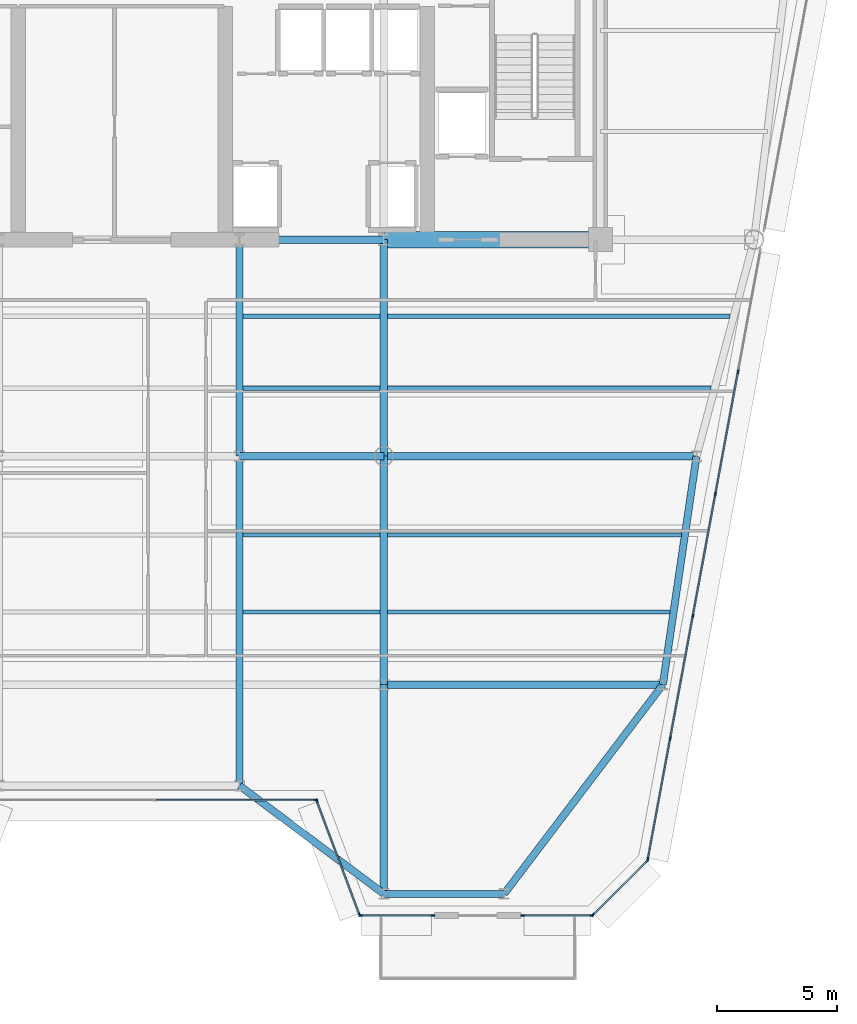
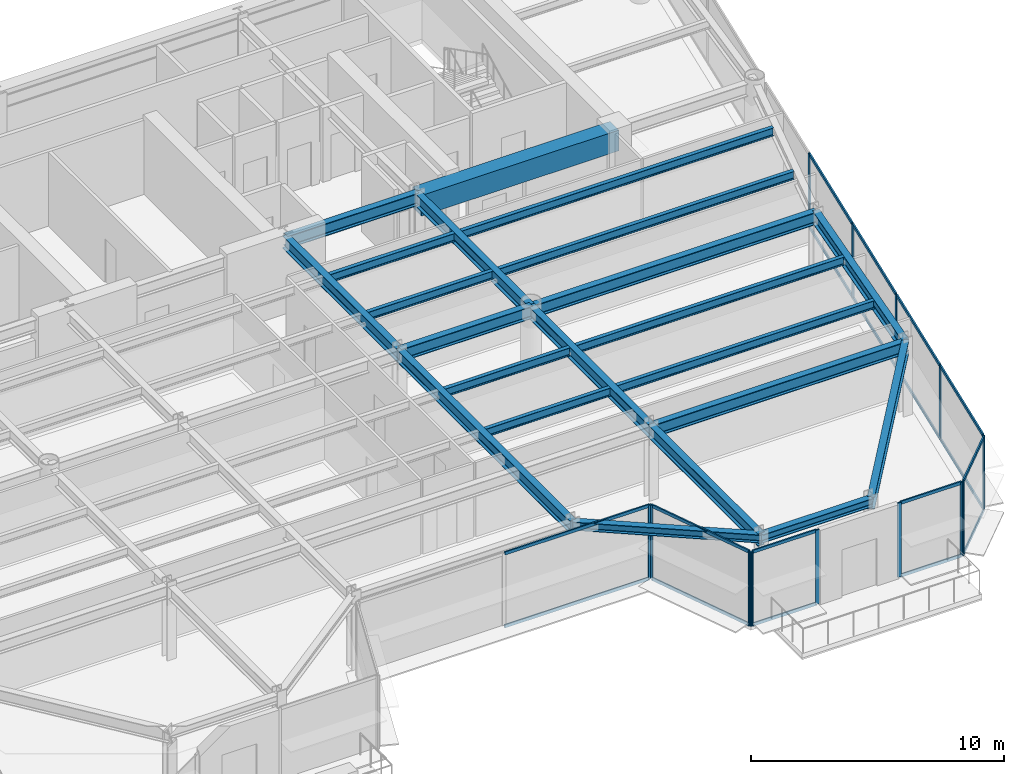
# One storey, part 5 of 16: 32 members, 22 beams, 6 elements without a shape of their own.
"""IFC4 building model written with IfcOpenShell, lengths in metres."""

import ifcopenshell
import ifcopenshell.guid

model = None  # the IFC model being written
_history = None  # IfcOwnerHistory: only IFC2X3 demands one
_inside = {}  # id of a spatial element -> (the spatial element, [elements in it])
_under = {}  # id of a project, library or spatial element -> (it, [spatial elements below it])
_declared = {}  # id of a project -> (the project, [libraries it declares])
_typed = {}  # id of a type object -> (the type object, [elements of that type])
_made_of = {}  # id of a material, layer set ... -> (it, [elements and type objects made of it])


def new_model(schema):
    """Start an empty IFC model of exactly this schema.

    Asked for "IFC4X3", IfcOpenShell would pick the latest addendum, in which some entities
    have other attributes; the version numbers below select the first issue.
    IFC2X3 requires an IfcOwnerHistory on every rooted entity: one is made here for all.
    """
    global model, _history
    if schema == "IFC4X3":
        model = ifcopenshell.file(schema_version=(4, 3, 0, 0))
    else:
        model = ifcopenshell.file(schema=schema)
    _inside.clear()
    _under.clear()
    _declared.clear()
    _typed.clear()
    _made_of.clear()
    _history = None
    if model.schema == "IFC2X3":
        org = make("IfcOrganization", Name="unknown")
        user = make(
            "IfcPersonAndOrganization",
            ThePerson=make("IfcPerson", FamilyName="unknown"),
            TheOrganization=org,
        )
        app = make(
            "IfcApplication",
            ApplicationDeveloper=org,
            Version="unknown",
            ApplicationFullName="unknown",
            ApplicationIdentifier="unknown",
        )
        _history = make(
            "IfcOwnerHistory",
            OwningUser=user,
            OwningApplication=app,
            ChangeAction="ADDED",
            CreationDate=0,
        )
    return model


def make(cls, **values):
    """One entity of the class cls with the attributes given. An attribute that is None is left unset."""
    return model.create_entity(
        cls, **{name: value for name, value in values.items() if value is not None}
    )


def rooted(cls, **values):
    """An entity with a GlobalId (a new one), such as an element, a storey or a relation."""
    return make(cls, GlobalId=ifcopenshell.guid.new(), OwnerHistory=_history, **values)


def si_unit(unit_type, name, prefix=None):
    """IfcSIUnit, for example si_unit("LENGTHUNIT", "METRE", prefix="MILLI")."""
    return make("IfcSIUnit", UnitType=unit_type, Prefix=prefix, Name=name)


def assignment(units):
    """IfcUnitAssignment: the units of a project."""
    return None if units is None else make("IfcUnitAssignment", Units=units)


def point(xyz):
    """IfcCartesianPoint."""
    return None if xyz is None else make("IfcCartesianPoint", Coordinates=xyz)


def direction(xyz):
    """IfcDirection."""
    return None if xyz is None else make("IfcDirection", DirectionRatios=xyz)


def frame(location, z_axis=None, x_axis=None):
    """IfcAxis2Placement3D, a coordinate frame: its origin and axes. An axis left out is left unset."""
    return make(
        "IfcAxis2Placement3D",
        Location=point(location),
        Axis=direction(z_axis),
        RefDirection=direction(x_axis),
    )


def frame_2d(location, x_axis=None):
    """IfcAxis2Placement2D, a coordinate frame in the plane: its origin and x axis."""
    return make(
        "IfcAxis2Placement2D", Location=point(location), RefDirection=direction(x_axis)
    )


def origin():
    """The frame at (0, 0, 0) with its axes left unset."""
    return frame((0.0, 0.0, 0.0))


def origin_2d():
    """The frame at (0, 0) in the plane with its x axis left unset."""
    return frame_2d((0.0, 0.0))


def place(relative_to, where):
    """IfcLocalPlacement: puts the frame where relative to a parent placement (None: the world)."""
    return make(
        "IfcLocalPlacement", PlacementRelTo=relative_to, RelativePlacement=where
    )


def context(
    kind, dimensions, precision=None, world=None, true_north=None, identifier=None
):
    """IfcGeometricRepresentationContext, for example the 3D "Model" context."""
    return make(
        "IfcGeometricRepresentationContext",
        ContextIdentifier=identifier,
        ContextType=kind,
        CoordinateSpaceDimension=dimensions,
        Precision=precision,
        WorldCoordinateSystem=world,
        TrueNorth=true_north,
    )


def subcontext(parent, identifier, kind, view, scale=None):
    """IfcGeometricRepresentationSubContext, for example "Body" below "Model"."""
    return make(
        "IfcGeometricRepresentationSubContext",
        ContextIdentifier=identifier,
        ContextType=kind,
        ParentContext=parent,
        TargetScale=scale,
        TargetView=view,
    )


def project(units=None, contexts=None):
    """IfcProject with its units and contexts."""
    return rooted(
        "IfcProject",
        Name="project",
        RepresentationContexts=contexts,
        UnitsInContext=assignment(units),
    )


def spatial(cls, under=None, at=None, **own):
    """A site, building, storey or space (cls), placed at a placement, below another one or the project."""
    s = rooted(cls, ObjectPlacement=at, **own)
    if under is not None:
        _under.setdefault(under.id(), (under, []))[1].append(s)
    return s


def profile(cls, at=None, kind="AREA", **sizes):
    """A parametric profile (cls). Its sizes go by their IFC names, for example OverallWidth=200.0."""
    return make(cls, ProfileType=kind, Position=at, **sizes)


def rectangle(**sizes):
    """IfcRectangleProfileDef."""
    return profile("IfcRectangleProfileDef", **sizes)


def i_section(**sizes):
    """IfcIShapeProfileDef."""
    return profile("IfcIShapeProfileDef", **sizes)


def extrude(swept, where, along, depth):
    """IfcExtrudedAreaSolid: the profile swept, set in the frame where, extruded along a direction by depth."""
    return make(
        "IfcExtrudedAreaSolid",
        SweptArea=swept,
        Position=where,
        ExtrudedDirection=direction(along),
        Depth=depth,
    )


def shape(context_of_items, identifier, shape_type, items):
    """IfcShapeRepresentation: the items that make up one representation, for example the "Body"."""
    return make(
        "IfcShapeRepresentation",
        ContextOfItems=context_of_items,
        RepresentationIdentifier=identifier,
        RepresentationType=shape_type,
        Items=items,
    )


def source(mapping_origin, context_of_items, identifier, shape_type, items):
    """IfcRepresentationMap: a shape defined once, which mapped items show again and again."""
    return make(
        "IfcRepresentationMap",
        MappingOrigin=mapping_origin,
        MappedRepresentation=shape(context_of_items, identifier, shape_type, items),
    )


def transform(
    local_origin,
    x_axis=None,
    y_axis=None,
    z_axis=None,
    scale=None,
    scale2=None,
    scale3=None,
    uniform=True,
):
    """IfcCartesianTransformationOperator3D, or its non-uniform kind. x_axis, y_axis, z_axis: its Axis1, 2, 3."""
    if uniform:
        return make(
            "IfcCartesianTransformationOperator3D",
            Axis1=direction(x_axis),
            Axis2=direction(y_axis),
            LocalOrigin=point(local_origin),
            Scale=scale,
            Axis3=direction(z_axis),
        )
    return make(
        "IfcCartesianTransformationOperator3DnonUniform",
        Axis1=direction(x_axis),
        Axis2=direction(y_axis),
        LocalOrigin=point(local_origin),
        Scale=scale,
        Axis3=direction(z_axis),
        Scale2=scale2,
        Scale3=scale3,
    )


def mapped(mapping_source, mapping_target):
    """IfcMappedItem: shows the shape of a source again, moved by a transform."""
    return make(
        "IfcMappedItem", MappingSource=mapping_source, MappingTarget=mapping_target
    )


def material(Name=None, Category=None):
    """IfcMaterial."""
    return make("IfcMaterial", Name=Name, Category=Category)


def layer(
    of_material, thickness, ventilated=None, Name=None, Category=None, Priority=None
):
    """IfcMaterialLayer: one layer of a wall or slab, of a material (None: an air gap)."""
    return make(
        "IfcMaterialLayer",
        Material=of_material,
        LayerThickness=thickness,
        IsVentilated=ventilated,
        Name=Name,
        Category=Category,
        Priority=Priority,
    )


def layer_set(layers, Name=None):
    """IfcMaterialLayerSet."""
    return make("IfcMaterialLayerSet", MaterialLayers=layers, LayerSetName=Name)


def material_profile(
    of_material, cross_section, Name=None, Category=None, Priority=None
):
    """IfcMaterialProfile: a cross section and its material."""
    return make(
        "IfcMaterialProfile",
        Name=Name,
        Material=of_material,
        Profile=cross_section,
        Priority=Priority,
        Category=Category,
    )


def profile_set(profiles, Name=None, composite=None):
    """IfcMaterialProfileSet."""
    return make(
        "IfcMaterialProfileSet",
        Name=Name,
        MaterialProfiles=profiles,
        CompositeProfile=composite,
    )


def made_of(thing, what):
    """Note that an element or type object is made of a material, layer set ...; save() writes the relation."""
    if what is not None:
        _made_of.setdefault(what.id(), (what, []))[1].append(thing)
    return thing


def type_object(cls, material=None, **own):
    """A type object (cls), such as IfcWallType, which elements share."""
    return made_of(rooted(cls, **own), material)


def element(
    cls,
    number,
    at=None,
    inside=None,
    cuts=None,
    type_object=None,
    material=None,
    context=None,
    identifier="Body",
    shape_type=None,
    held_by="IfcProductDefinitionShape",
    body=None,
    shapes=None,
    **own,
):
    """One element of the class cls, such as IfcWall. Its Tag is "e" and its number.

    at: its placement. inside: the storey or other place that contains it. cuts: it is an
    opening in that element (IfcRelVoidsElement). A single representation is given by context,
    identifier, shape_type and body (its items); several are given by shapes. held_by: the class
    of the entity that holds the representations. save() writes the other relations.
    """
    e = rooted(cls, Tag="e%d" % number, ObjectPlacement=at, **own)
    if body is not None:
        shapes = [shape(context, identifier, shape_type, body)]
    if shapes is not None:
        e.Representation = make(held_by, Representations=shapes)
    if inside is not None:
        _inside.setdefault(inside.id(), (inside, []))[1].append(e)
    if cuts is not None:
        rooted(
            "IfcRelVoidsElement", RelatingBuildingElement=cuts, RelatedOpeningElement=e
        )
    if type_object is not None:
        _typed.setdefault(type_object.id(), (type_object, []))[1].append(e)
    return made_of(e, material)


def aggregate(whole, parts):
    """IfcRelAggregates: a whole, such as a stair, and the parts it consists of."""
    return rooted("IfcRelAggregates", RelatingObject=whole, RelatedObjects=parts)


def save(model, path):
    """Write the relations noted so far, then the file.

    IfcRelAggregates (storeys below a building ...), IfcRelContainedInSpatialStructure (elements
    in a storey), IfcRelDefinesByType, IfcRelAssociatesMaterial and IfcRelDeclares: one each for
    every whole, place, type object, material and project.
    """
    for whole, parts in _under.values():
        aggregate(whole, parts)
    for where, things in _inside.values():
        rooted(
            "IfcRelContainedInSpatialStructure",
            RelatedElements=things,
            RelatingStructure=where,
        )
    for kind, things in _typed.values():
        rooted("IfcRelDefinesByType", RelatedObjects=things, RelatingType=kind)
    for what, things in _made_of.values():
        rooted("IfcRelAssociatesMaterial", RelatedObjects=things, RelatingMaterial=what)
    for by, libraries in _declared.values():
        rooted("IfcRelDeclares", RelatingContext=by, RelatedDefinitions=libraries)
    model.write(path)


model = new_model("IFC4")

# Units and contexts
model_context = context("Model", 3, precision=1e-05, world=origin(), true_north=direction((0.0, 1.0)))
body_context = subcontext(model_context, "Body", "Model", "MODEL_VIEW")
ifc_project = project(units=[si_unit("LENGTHUNIT", "METRE"), si_unit("AREAUNIT", "SQUARE_METRE"), si_unit("VOLUMEUNIT", "CUBIC_METRE"), si_unit("PLANEANGLEUNIT", "RADIAN"), si_unit("MASSUNIT", "GRAM", prefix="KILO")], contexts=[model_context])

# Site, building, storey
site_placement = place(None, origin())
site = spatial("IfcSite", under=ifc_project, at=site_placement, CompositionType="ELEMENT")
building_placement = place(site_placement, origin())
building = spatial("IfcBuilding", under=site, at=building_placement, Name="Vaeldorn Concourse Tower", CompositionType="ELEMENT")
storey_placement = place(building_placement, frame((0.0, 0.0, 207.0)))
storey = spatial("IfcBuildingStorey", under=building, at=storey_placement, Name="L53", CompositionType="ELEMENT", Elevation=207.0)

# Beams
ifc_material_1 = material(Name="Concrete C50/60", Category="concrete")
ifc_material_profile_1 = material_profile(ifc_material_1, rectangle(XDim=0.699951171875, YDim=1.0, at=origin_2d()), Name="RC 700x1000")
ifc_profile_set_1 = profile_set([ifc_material_profile_1], Name="Concrete C50/60")
beam_type_1 = type_object("IfcBeamType", Name="BM-CB-RC700", PredefinedType="BEAM", material=ifc_profile_set_1)
shared_shape_1 = source(origin(), body_context, "Body", "SweptSolid", [
    extrude(rectangle(XDim=0.699951171875, YDim=1.0, at=origin_2d()), origin(), (0.0, 0.0, 1.0), 9.0),
])
beam_1_placement = place(storey_placement, frame((45.0, 36.5, 3.080078125), z_axis=(1.0, 0.0, 0.0), x_axis=(0.0, 1.0, 0.0)))
element("IfcBeam", 1, at=beam_1_placement, inside=storey, type_object=beam_type_1, Name="Core Coupling Beam L53-2", PredefinedType="BEAM", context=body_context, shape_type="MappedRepresentation", body=[
    mapped(shared_shape_1, transform((0.0, 0.0, 0.0), scale=1.0)),
])
ifc_material_2 = material(Name="Steel S355", Category="steel")
ifc_material_profile_2 = material_profile(ifc_material_2, i_section(OverallWidth=0.300048828125, OverallDepth=0.60009765625, WebThickness=0.015380859375, FlangeThickness=0.030029296875, FilletRadius=0.027099609375, at=origin_2d()), Name="HEB 600")
ifc_profile_set_2 = profile_set([ifc_material_profile_2], Name="Steel S355")
beam_type_2 = type_object("IfcBeamType", Name="BM-PG-HEB600", PredefinedType="BEAM", material=ifc_profile_set_2)
shared_shape_2 = source(origin(), body_context, "Body", "SweptSolid", [
    extrude(i_section(OverallWidth=0.300048828125, OverallDepth=0.60009765625, WebThickness=0.015380859375, FlangeThickness=0.030029296875, FilletRadius=0.027099609375, at=origin_2d()), origin(), (0.0, 0.0, 1.0), 6.0),
])
for number, where, z_axis, x_axis, name in (
    (2, (39.0, 36.5, 3.280029296875), (1.0, 0.0, 0.0), (0.0, 1.0, 0.0), "Beam BM-L53-C-FC4-C-FC5"),
    (3, (39.0, 27.5, 3.280029296875), (1.0, 0.0, 0.0), (0.0, 1.0, 0.0), "Beam BM-L53-C-TW3-C-TW4"),
):
    element("IfcBeam", number, at=place(storey_placement, frame(where, z_axis=z_axis, x_axis=x_axis)), inside=storey, type_object=beam_type_2, Name=name, PredefinedType="BEAM", context=body_context, shape_type="MappedRepresentation", body=[
        mapped(shared_shape_2, transform((0.0, 0.0, 0.0), scale=1.0)),
    ])
shared_shape_3 = source(origin(), body_context, "Body", "SweptSolid", [
    extrude(i_section(OverallWidth=0.300048828125, OverallDepth=0.60009765625, WebThickness=0.015380859375, FlangeThickness=0.030029296875, FilletRadius=0.027099609375, at=origin_2d()), origin(), (0.0, 0.0, 1.0), 9.0),
])
for number, where, z_axis, x_axis, name in (
    (4, (39.0, 27.5, 3.280029296875), (0.0, 1.0, 0.0), (-1.0, 0.0, 0.0), "Beam BM-L53-C-TW3-C-FC4"),
    (5, (45.0, 27.5, 3.280029296875), (0.0, 1.0, 0.0), (-1.0, 0.0, 0.0), "Beam BM-L53-C-TW4-C-FC5"),
):
    element("IfcBeam", number, at=place(storey_placement, frame(where, z_axis=z_axis, x_axis=x_axis)), inside=storey, type_object=beam_type_2, Name=name, PredefinedType="BEAM", context=body_context, shape_type="MappedRepresentation", body=[
        mapped(shared_shape_3, transform((0.0, 0.0, 0.0), scale=1.0)),
    ])
shared_shape_4 = source(origin(), body_context, "Body", "SweptSolid", [
    extrude(i_section(OverallWidth=0.300048828125, OverallDepth=0.60009765625, WebThickness=0.015380859375, FlangeThickness=0.030029296875, FilletRadius=0.027099609375, at=origin_2d()), origin(), (0.0, 0.0, 1.0), 13.0),
])
beam_2_placement = place(storey_placement, frame((45.0, 27.5, 3.280029296875), z_axis=(1.0, 0.0, 0.0), x_axis=(0.0, 1.0, 0.0)))
element("IfcBeam", 6, at=beam_2_placement, inside=storey, type_object=beam_type_2, Name="Beam BM-L53-C-TW4-C-FLE1", PredefinedType="BEAM", context=body_context, shape_type="MappedRepresentation", body=[
    mapped(shared_shape_4, transform((0.0, 0.0, 0.0), scale=1.0)),
])
shared_shape_5 = source(origin(), body_context, "Body", "SweptSolid", [
    extrude(i_section(OverallWidth=0.300048828125, OverallDepth=0.60009765625, WebThickness=0.015380859375, FlangeThickness=0.030029296875, FilletRadius=0.027099609375, at=origin_2d()), origin(), (0.0, 0.0, 1.0), 9.6025390625),
])
beam_3_placement = place(storey_placement, frame((58.0, 27.5, 3.280029296875), z_axis=(-0.145783835977, -0.989316467652, 0.0), x_axis=(0.989316467652, -0.145783835977, 0.0)))
element("IfcBeam", 7, at=beam_3_placement, inside=storey, type_object=beam_type_2, Name="Beam BM-L53-C-FLE1-C-FLE2", PredefinedType="BEAM", context=body_context, shape_type="MappedRepresentation", body=[
    mapped(shared_shape_5, transform((0.0, 0.0, 0.0), scale=1.0)),
])
shared_shape_6 = source(origin(), body_context, "Body", "SweptSolid", [
    extrude(i_section(OverallWidth=0.300048828125, OverallDepth=0.60009765625, WebThickness=0.015380859375, FlangeThickness=0.030029296875, FilletRadius=0.027099609375, at=origin_2d()), origin(), (0.0, 0.0, 1.0), 11.60009765625),
])
beam_4_placement = place(storey_placement, frame((45.0, 18.0, 3.280029296875), z_axis=(1.0, 0.0, 0.0), x_axis=(0.0, 1.0, 0.0)))
element("IfcBeam", 8, at=beam_4_placement, inside=storey, type_object=beam_type_2, Name="Beam BM-L53-C-TW6-C-FLE2", PredefinedType="BEAM", context=body_context, shape_type="MappedRepresentation", body=[
    mapped(shared_shape_6, transform((0.0, 0.0, 0.0), scale=1.0)),
])
shared_shape_7 = source(origin(), body_context, "Body", "SweptSolid", [
    extrude(i_section(OverallWidth=0.300048828125, OverallDepth=0.60009765625, WebThickness=0.015380859375, FlangeThickness=0.030029296875, FilletRadius=0.027099609375, at=origin_2d()), origin(), (0.0, 0.0, 1.0), 9.5),
])
beam_5_placement = place(storey_placement, frame((45.0, 18.0, 3.280029296875), z_axis=(0.0, 1.0, 0.0), x_axis=(-1.0, 0.0, 0.0)))
element("IfcBeam", 9, at=beam_5_placement, inside=storey, type_object=beam_type_2, Name="Beam BM-L53-C-TW6-C-TW4", PredefinedType="BEAM", context=body_context, shape_type="MappedRepresentation", body=[
    mapped(shared_shape_7, transform((0.0, 0.0, 0.0), scale=1.0)),
])
ifc_material_profile_3 = material_profile(ifc_material_2, i_section(OverallWidth=0.300048828125, OverallDepth=0.39990234375, WebThickness=0.013427734375, FlangeThickness=0.02392578125, FilletRadius=0.027099609375, at=origin_2d()), Name="HEB 400")
ifc_profile_set_3 = profile_set([ifc_material_profile_3], Name="Steel S355")
beam_type_3 = type_object("IfcBeamType", Name="BM-SP-HEB400", PredefinedType="SPANDREL", material=ifc_profile_set_3)
shared_shape_8 = source(origin(), body_context, "Body", "SweptSolid", [
    extrude(i_section(OverallWidth=0.300048828125, OverallDepth=0.39990234375, WebThickness=0.013427734375, FlangeThickness=0.02392578125, FilletRadius=0.027099609375, at=origin_2d()), origin(), (0.0, 0.0, 1.0), 5.0),
])
beam_6_placement = place(storey_placement, frame((45.0, 9.300048828125, 3.3798828125), z_axis=(1.0, 0.0, 0.0), x_axis=(0.0, 1.0, 0.0)))
element("IfcBeam", 10, at=beam_6_placement, inside=storey, type_object=beam_type_3, Name="Beam BM-L53-C-SF5-C-SF6", PredefinedType="SPANDREL", context=body_context, shape_type="MappedRepresentation", body=[
    mapped(shared_shape_8, transform((0.0, 0.0, 0.0), scale=1.0)),
])
shared_shape_9 = source(origin(), body_context, "Body", "SweptSolid", [
    extrude(i_section(OverallWidth=0.300048828125, OverallDepth=0.39990234375, WebThickness=0.013427734375, FlangeThickness=0.02392578125, FilletRadius=0.027099609375, at=origin_2d()), origin(), (0.0, 0.0, 1.0), 7.5),
])
beam_7_placement = place(storey_placement, frame((39.0, 13.800048828125, 3.3798828125), z_axis=(0.8, -0.6, 0.0), x_axis=(0.6, 0.8, 0.0)))
element("IfcBeam", 11, at=beam_7_placement, inside=storey, type_object=beam_type_3, Name="Beam BM-L53-C-SF4-C-SF5", PredefinedType="SPANDREL", context=body_context, shape_type="MappedRepresentation", body=[
    mapped(shared_shape_9, transform((0.0, 0.0, 0.0), scale=1.0)),
])
ifc_material_profile_4 = material_profile(ifc_material_2, i_section(OverallWidth=0.179931640625, OverallDepth=0.39990234375, WebThickness=0.008544921875, FlangeThickness=0.013427734375, FilletRadius=0.02099609375, at=origin_2d()), Name="IPE 400")
ifc_profile_set_4 = profile_set([ifc_material_profile_4], Name="Steel S355")
beam_type_4 = type_object("IfcBeamType", Name="BM-JS-IPE400", PredefinedType="JOIST", material=ifc_profile_set_4)
shared_shape_10 = source(origin(), body_context, "Body", "SweptSolid", [
    extrude(i_section(OverallWidth=0.179931640625, OverallDepth=0.39990234375, WebThickness=0.008544921875, FlangeThickness=0.013427734375, FilletRadius=0.02099609375, at=origin_2d()), origin(), (0.0, 0.0, 1.0), 5.7001953125),
])
for number, where, z_axis, x_axis, name in (
    (12, (39.14990234375, 21.02001953125, 3.3798828125), (1.0, 0.0, 0.0), (0.0, 1.0, 0.0), "Beam JS-L53-E2-210"),
    (13, (39.14990234375, 24.219970703125, 3.3798828125), (1.0, 0.0, 0.0), (0.0, 1.0, 0.0), "Beam JS-L53-E2-242"),
    (14, (39.14990234375, 30.320068359375, 3.3798828125), (1.0, 0.0, 0.0), (0.0, 1.0, 0.0), "Beam JS-L53-E2-303"),
    (15, (39.14990234375, 33.320068359375, 3.3798828125), (1.0, 0.0, 0.0), (0.0, 1.0, 0.0), "Beam JS-L53-E2-333"),
):
    element("IfcBeam", number, at=place(storey_placement, frame(where, z_axis=z_axis, x_axis=x_axis)), inside=storey, type_object=beam_type_4, Name=name, PredefinedType="JOIST", context=body_context, shape_type="MappedRepresentation", body=[
        mapped(shared_shape_10, transform((0.0, 0.0, 0.0), scale=1.0)),
    ])
shared_shape_11 = source(origin(), body_context, "Body", "SweptSolid", [
    extrude(i_section(OverallWidth=0.300048828125, OverallDepth=0.60009765625, WebThickness=0.015380859375, FlangeThickness=0.030029296875, FilletRadius=0.027099609375, at=origin_2d()), origin(), (0.0, 0.0, 1.0), 10.920166015625),
])
beam_8_placement = place(storey_placement, frame((50.0, 9.300048828125, 3.280029296875), z_axis=(0.604394310451, 0.796685331542, 0.0), x_axis=(-0.796685331542, 0.604394310451, 0.0)))
element("IfcBeam", 16, at=beam_8_placement, inside=storey, type_object=beam_type_2, Name="Beam BM-L53-C-SF6-C-FLE2", PredefinedType="BEAM", context=body_context, shape_type="MappedRepresentation", body=[
    mapped(shared_shape_11, transform((0.0, 0.0, 0.0), scale=1.0)),
])
shared_shape_12 = source(origin(), body_context, "Body", "SweptSolid", [
    extrude(i_section(OverallWidth=0.300048828125, OverallDepth=0.60009765625, WebThickness=0.015380859375, FlangeThickness=0.030029296875, FilletRadius=0.027099609375, at=origin_2d()), origin(), (0.0, 0.0, 1.0), 8.699951171875),
])
beam_9_placement = place(storey_placement, frame((45.0, 9.300048828125, 3.280029296875), z_axis=(0.0, 1.0, 0.0), x_axis=(-1.0, 0.0, 0.0)))
element("IfcBeam", 17, at=beam_9_placement, inside=storey, type_object=beam_type_2, Name="Beam BM-L53-C-SF5-C-TW6", PredefinedType="BEAM", context=body_context, shape_type="MappedRepresentation", body=[
    mapped(shared_shape_12, transform((0.0, 0.0, 0.0), scale=1.0)),
])
shared_shape_13 = source(origin(), body_context, "Body", "SweptSolid", [
    extrude(i_section(OverallWidth=0.300048828125, OverallDepth=0.60009765625, WebThickness=0.015380859375, FlangeThickness=0.030029296875, FilletRadius=0.027099609375, at=origin_2d()), origin(), (0.0, 0.0, 1.0), 13.699951171875),
])
beam_10_placement = place(storey_placement, frame((39.0, 13.800048828125, 3.280029296875), z_axis=(0.0, 1.0, 0.0), x_axis=(-1.0, 0.0, 0.0)))
element("IfcBeam", 18, at=beam_10_placement, inside=storey, type_object=beam_type_2, Name="Beam BM-L53-C-SF4-C-TW3", PredefinedType="BEAM", context=body_context, shape_type="MappedRepresentation", body=[
    mapped(shared_shape_13, transform((0.0, 0.0, 0.0), scale=1.0)),
])
shared_shape_14 = source(origin(), body_context, "Body", "SweptSolid", [
    extrude(i_section(OverallWidth=0.179931640625, OverallDepth=0.39990234375, WebThickness=0.008544921875, FlangeThickness=0.013427734375, FilletRadius=0.02099609375, at=origin_2d()), origin(), (0.0, 0.0, 1.0), 11.7451171875),
])
beam_11_placement = place(storey_placement, frame((45.14990234375, 21.02001953125, 3.3798828125), z_axis=(1.0, 0.0, 0.0), x_axis=(0.0, 1.0, 0.0)))
element("IfcBeam", 19, at=beam_11_placement, inside=storey, type_object=beam_type_4, Name="Beam JS-L53-E1-210", PredefinedType="JOIST", context=body_context, shape_type="MappedRepresentation", body=[
    mapped(shared_shape_14, transform((0.0, 0.0, 0.0), scale=1.0)),
])
shared_shape_15 = source(origin(), body_context, "Body", "SweptSolid", [
    extrude(i_section(OverallWidth=0.179931640625, OverallDepth=0.39990234375, WebThickness=0.008544921875, FlangeThickness=0.013427734375, FilletRadius=0.02099609375, at=origin_2d()), origin(), (0.0, 0.0, 1.0), 12.216796875),
])
beam_12_placement = place(storey_placement, frame((45.14990234375, 24.219970703125, 3.3798828125), z_axis=(1.0, 0.0, 0.0), x_axis=(0.0, 1.0, 0.0)))
element("IfcBeam", 20, at=beam_12_placement, inside=storey, type_object=beam_type_4, Name="Beam JS-L53-E1-242", PredefinedType="JOIST", context=body_context, shape_type="MappedRepresentation", body=[
    mapped(shared_shape_15, transform((0.0, 0.0, 0.0), scale=1.0)),
])
shared_shape_16 = source(origin(), body_context, "Body", "SweptSolid", [
    extrude(i_section(OverallWidth=0.179931640625, OverallDepth=0.39990234375, WebThickness=0.008544921875, FlangeThickness=0.013427734375, FilletRadius=0.02099609375, at=origin_2d()), origin(), (0.0, 0.0, 1.0), 13.4521484375),
])
beam_13_placement = place(storey_placement, frame((45.14990234375, 30.320068359375, 3.3798828125), z_axis=(1.0, 0.0, 0.0), x_axis=(0.0, 1.0, 0.0)))
element("IfcBeam", 21, at=beam_13_placement, inside=storey, type_object=beam_type_4, Name="Beam JS-L53-E1-303", PredefinedType="JOIST", context=body_context, shape_type="MappedRepresentation", body=[
    mapped(shared_shape_16, transform((0.0, 0.0, 0.0), scale=1.0)),
])
shared_shape_17 = source(origin(), body_context, "Body", "SweptSolid", [
    extrude(i_section(OverallWidth=0.179931640625, OverallDepth=0.39990234375, WebThickness=0.008544921875, FlangeThickness=0.013427734375, FilletRadius=0.02099609375, at=origin_2d()), origin(), (0.0, 0.0, 1.0), 14.252197265625),
])
beam_14_placement = place(storey_placement, frame((45.14990234375, 33.320068359375, 3.3798828125), z_axis=(1.0, 0.0, 0.0), x_axis=(0.0, 1.0, 0.0)))
element("IfcBeam", 22, at=beam_14_placement, inside=storey, type_object=beam_type_4, Name="Beam JS-L53-E1-333", PredefinedType="JOIST", context=body_context, shape_type="MappedRepresentation", body=[
    mapped(shared_shape_17, transform((0.0, 0.0, 0.0), scale=1.0)),
])

# Curtain wall, members
ifc_material_3 = material(Name="Anodised Bronze Aluminium", Category="aluminium")
ifc_layer = layer(ifc_material_3, 0.2099609375)
ifc_layer_set = layer_set([ifc_layer], Name="Anodised Bronze Aluminium")
curtain_wall_type = type_object("IfcCurtainWallType", Name="CW-SYS-06", PredefinedType="NOTDEFINED", material=ifc_layer_set)
curtain_wall_1_placement = place(storey_placement, origin())
curtain_wall_1 = element("IfcCurtainWall", 23, at=curtain_wall_1_placement, inside=storey, type_object=curtain_wall_type, Name="Unitised Curtain Wall CW-L53-E04-1", PredefinedType="NOTDEFINED")
ifc_material_profile_5 = material_profile(ifc_material_3, rectangle(XDim=0.06494140625, YDim=0.14990234375, at=origin_2d()), Name="CWT 65x150")
ifc_profile_set_5 = profile_set([ifc_material_profile_5], Name="Anodised Bronze Aluminium")
member_type_1 = type_object("IfcMemberType", Name="CWT-BRONZE-150", PredefinedType="USERDEFINED", material=ifc_profile_set_5)
shared_shape_18 = source(origin(), body_context, "Body", "SweptSolid", [
    extrude(rectangle(XDim=0.06494140625, YDim=0.14990234375, at=origin_2d()), origin(), (0.0, 0.0, 1.0), 4.996337890625),
])
member_1_placement = place(storey_placement, frame((42.222900390625, 13.13916015625, 0.032470703125), z_axis=(0.351134151405, -0.936325161318, 0.0), x_axis=(0.936325161318, 0.351134151405, 0.0)))
member_1 = element("IfcMember", 24, at=member_1_placement, type_object=member_type_1, Name="CW-06 transom 1.1", ObjectType="TRANSOM", PredefinedType="USERDEFINED", context=body_context, shape_type="MappedRepresentation", body=[
    mapped(shared_shape_18, transform((0.0, 0.0, 0.0), scale=1.0)),
])
member_2_placement = place(storey_placement, frame((42.222900390625, 13.13916015625, 3.547607421875), z_axis=(0.351134151405, -0.936325161318, 0.0), x_axis=(0.936325161318, 0.351134151405, 0.0)))
member_2 = element("IfcMember", 25, at=member_2_placement, type_object=member_type_1, Name="CW-06 transom 1.2", ObjectType="TRANSOM", PredefinedType="USERDEFINED", context=body_context, shape_type="MappedRepresentation", body=[
    mapped(shared_shape_18, transform((0.0, 0.0, 0.0), scale=1.0)),
])

curtain_wall_2_placement = place(storey_placement, origin())
curtain_wall_2 = element("IfcCurtainWall", 26, at=curtain_wall_2_placement, inside=storey, type_object=curtain_wall_type, Name="Unitised Curtain Wall CW-L53-E03-1", PredefinedType="NOTDEFINED")
shared_shape_19 = source(origin(), body_context, "Body", "SweptSolid", [
    extrude(rectangle(XDim=0.06494140625, YDim=0.14990234375, at=origin_2d()), origin(), (0.0, 0.0, 1.0), 6.6025390625),
])
member_3_placement = place(storey_placement, frame((35.532470703125, 13.199951171875, 0.032470703125), z_axis=(1.0, 0.0, 0.0), x_axis=(0.0, 1.0, 0.0)))
member_3 = element("IfcMember", 27, at=member_3_placement, type_object=member_type_1, Name="CW-06 transom 2.1", ObjectType="TRANSOM", PredefinedType="USERDEFINED", context=body_context, shape_type="MappedRepresentation", body=[
    mapped(shared_shape_19, transform((0.0, 0.0, 0.0), scale=1.0)),
])
member_4_placement = place(storey_placement, frame((35.532470703125, 13.199951171875, 3.547607421875), z_axis=(1.0, 0.0, 0.0), x_axis=(0.0, 1.0, 0.0)))
member_4 = element("IfcMember", 28, at=member_4_placement, type_object=member_type_1, Name="CW-06 transom 2.2", ObjectType="TRANSOM", PredefinedType="USERDEFINED", context=body_context, shape_type="MappedRepresentation", body=[
    mapped(shared_shape_19, transform((0.0, 0.0, 0.0), scale=1.0)),
])

curtain_wall_3_placement = place(storey_placement, origin())
curtain_wall_3 = element("IfcCurtainWall", 29, at=curtain_wall_3_placement, inside=storey, type_object=curtain_wall_type, Name="Unitised Curtain Wall CW-L53-E06-1", PredefinedType="NOTDEFINED")
shared_shape_20 = source(origin(), body_context, "Body", "SweptSolid", [
    extrude(rectangle(XDim=0.06494140625, YDim=0.14990234375, at=origin_2d()), origin(), (0.0, 0.0, 1.0), 3.12255859375),
])
member_5_placement = place(storey_placement, frame((53.717041015625, 8.446044921875, 0.032470703125), z_axis=(0.707106781187, 0.707106781187, 0.0), x_axis=(-0.707106781187, 0.707106781187, 0.0)))
member_5 = element("IfcMember", 30, at=member_5_placement, type_object=member_type_1, Name="CW-06 transom 1.1", ObjectType="TRANSOM", PredefinedType="USERDEFINED", context=body_context, shape_type="MappedRepresentation", body=[
    mapped(shared_shape_20, transform((0.0, 0.0, 0.0), scale=1.0)),
])
member_6_placement = place(storey_placement, frame((53.717041015625, 8.446044921875, 3.547607421875), z_axis=(0.707106781187, 0.707106781187, 0.0), x_axis=(-0.707106781187, 0.707106781187, 0.0)))
member_6 = element("IfcMember", 31, at=member_6_placement, type_object=member_type_1, Name="CW-06 transom 1.2", ObjectType="TRANSOM", PredefinedType="USERDEFINED", context=body_context, shape_type="MappedRepresentation", body=[
    mapped(shared_shape_20, transform((0.0, 0.0, 0.0), scale=1.0)),
])

# Member
ifc_material_profile_6 = material_profile(ifc_material_3, rectangle(XDim=0.06494140625, YDim=0.169921875, at=origin_2d()), Name="CWM 65x170")
ifc_profile_set_6 = profile_set([ifc_material_profile_6], Name="Anodised Bronze Aluminium")
member_type_2 = type_object("IfcMemberType", Name="CWM-BRONZE-170", PredefinedType="MULLION", material=ifc_profile_set_6)
shared_shape_21 = source(origin(), body_context, "Body", "SweptSolid", [
    extrude(rectangle(XDim=0.06494140625, YDim=0.169921875, at=origin_2d()), origin(), (0.0, 0.0, 1.0), 3.580078125),
])
member_7_placement = place(storey_placement, frame((42.16748046875, 13.199951171875, 0.0), z_axis=(0.0, 0.0, 1.0), x_axis=(0.0, 1.0, 0.0)))
member_7 = element("IfcMember", 32, at=member_7_placement, type_object=member_type_2, Name="CW-06 mullion 3", PredefinedType="MULLION", context=body_context, shape_type="MappedRepresentation", body=[
    mapped(shared_shape_21, transform((0.0, 0.0, 0.0), scale=1.0)),
])

aggregate(curtain_wall_2, [member_7, member_3, member_4])

member_8_placement = place(storey_placement, frame((42.21142578125, 13.169677734375, 0.0), z_axis=(0.0, 0.0, 1.0), x_axis=(0.936329177566, 0.351123441595, 0.0)))
member_8 = element("IfcMember", 33, at=member_8_placement, type_object=member_type_2, Name="CW-06 mullion 1", PredefinedType="MULLION", context=body_context, shape_type="MappedRepresentation", body=[
    mapped(shared_shape_21, transform((0.0, 0.0, 0.0), scale=1.0)),
])

member_9_placement = place(storey_placement, frame((43.988525390625, 8.430419921875, 0.0), z_axis=(0.0, 0.0, 1.0), x_axis=(0.936329177566, 0.351123441595, 0.0)))
member_9 = element("IfcMember", 34, at=member_9_placement, type_object=member_type_2, Name="CW-06 mullion 2", PredefinedType="MULLION", context=body_context, shape_type="MappedRepresentation", body=[
    mapped(shared_shape_21, transform((0.0, 0.0, 0.0), scale=1.0)),
])

aggregate(curtain_wall_1, [member_8, member_9, member_1, member_2])

# Curtain wall, members
curtain_wall_4_placement = place(storey_placement, origin())
curtain_wall_4 = element("IfcCurtainWall", 35, at=curtain_wall_4_placement, inside=storey, type_object=curtain_wall_type, Name="Unitised Curtain Wall CW-L53-E05-1", PredefinedType="NOTDEFINED")
member_10_placement = place(storey_placement, frame((44.032470703125, 8.39990234375, 0.0), z_axis=(0.0, 0.0, 1.0), x_axis=(0.0, 1.0, 0.0)))
member_10 = element("IfcMember", 36, at=member_10_placement, type_object=member_type_2, Name="CW-06 mullion 1", PredefinedType="MULLION", context=body_context, shape_type="MappedRepresentation", body=[
    mapped(shared_shape_21, transform((0.0, 0.0, 0.0), scale=1.0)),
])
member_11_placement = place(storey_placement, frame((47.027587890625, 8.39990234375, 0.0), z_axis=(0.0, 0.0, 1.0), x_axis=(0.0, 1.0, 0.0)))
member_11 = element("IfcMember", 37, at=member_11_placement, type_object=member_type_2, Name="CW-06 mullion 2", PredefinedType="MULLION", context=body_context, shape_type="MappedRepresentation", body=[
    mapped(shared_shape_21, transform((0.0, 0.0, 0.0), scale=1.0)),
])

curtain_wall_5_placement = place(storey_placement, origin())
curtain_wall_5 = element("IfcCurtainWall", 38, at=curtain_wall_5_placement, inside=storey, type_object=curtain_wall_type, Name="Unitised Curtain Wall CW-L53-E05-2", PredefinedType="NOTDEFINED")
member_12_placement = place(storey_placement, frame((50.7724609375, 8.39990234375, 0.0), z_axis=(0.0, 0.0, 1.0), x_axis=(0.0, 1.0, 0.0)))
member_12 = element("IfcMember", 39, at=member_12_placement, type_object=member_type_2, Name="CW-06 mullion 1", PredefinedType="MULLION", context=body_context, shape_type="MappedRepresentation", body=[
    mapped(shared_shape_21, transform((0.0, 0.0, 0.0), scale=1.0)),
])
member_13_placement = place(storey_placement, frame((53.638427734375, 8.39990234375, 0.0), z_axis=(0.0, 0.0, 1.0), x_axis=(0.0, 1.0, 0.0)))
member_13 = element("IfcMember", 40, at=member_13_placement, type_object=member_type_2, Name="CW-06 mullion 2", PredefinedType="MULLION", context=body_context, shape_type="MappedRepresentation", body=[
    mapped(shared_shape_21, transform((0.0, 0.0, 0.0), scale=1.0)),
])

# Member
member_14_placement = place(storey_placement, frame((53.694091796875, 8.423095703125, 0.0), z_axis=(0.0, 0.0, 1.0), x_axis=(-0.707106781187, 0.707106781187, 0.0)))
member_14 = element("IfcMember", 41, at=member_14_placement, type_object=member_type_2, Name="CW-06 mullion 1", PredefinedType="MULLION", context=body_context, shape_type="MappedRepresentation", body=[
    mapped(shared_shape_21, transform((0.0, 0.0, 0.0), scale=1.0)),
])

member_15_placement = place(storey_placement, frame((55.947998046875, 10.677001953125, 0.0), z_axis=(0.0, 0.0, 1.0), x_axis=(-0.707106781187, 0.707106781187, 0.0)))
member_15 = element("IfcMember", 42, at=member_15_placement, type_object=member_type_2, Name="CW-06 mullion 2", PredefinedType="MULLION", context=body_context, shape_type="MappedRepresentation", body=[
    mapped(shared_shape_21, transform((0.0, 0.0, 0.0), scale=1.0)),
])

aggregate(curtain_wall_3, [member_14, member_15, member_5, member_6])

# Curtain wall, members
curtain_wall_6_placement = place(storey_placement, origin())
curtain_wall_6 = element("IfcCurtainWall", 43, at=curtain_wall_6_placement, inside=storey, type_object=curtain_wall_type, Name="Unitised Curtain Wall CW-L53-E07-1", PredefinedType="NOTDEFINED")
member_16_placement = place(storey_placement, frame((55.976806640625, 10.73193359375, 0.0), z_axis=(0.0, 0.0, 1.0), x_axis=(-0.983319079021, 0.181888946432, 0.0)))
member_16 = element("IfcMember", 44, at=member_16_placement, type_object=member_type_2, Name="CW-06 mullion 1", PredefinedType="MULLION", context=body_context, shape_type="MappedRepresentation", body=[
    mapped(shared_shape_21, transform((0.0, 0.0, 0.0), scale=1.0)),
])
member_17_placement = place(storey_placement, frame((56.91015625, 15.776611328125, 0.0), z_axis=(0.0, 0.0, 1.0), x_axis=(-0.983319079021, 0.181888946432, 0.0)))
member_17 = element("IfcMember", 45, at=member_17_placement, type_object=member_type_2, Name="CW-06 mullion 2", PredefinedType="MULLION", context=body_context, shape_type="MappedRepresentation", body=[
    mapped(shared_shape_21, transform((0.0, 0.0, 0.0), scale=1.0)),
])
member_18_placement = place(storey_placement, frame((57.84912109375, 20.853515625, 0.0), z_axis=(0.0, 0.0, 1.0), x_axis=(-0.983319079021, 0.181888946432, 0.0)))
member_18 = element("IfcMember", 46, at=member_18_placement, type_object=member_type_2, Name="CW-06 mullion 3", PredefinedType="MULLION", context=body_context, shape_type="MappedRepresentation", body=[
    mapped(shared_shape_21, transform((0.0, 0.0, 0.0), scale=1.0)),
])
member_19_placement = place(storey_placement, frame((58.7880859375, 25.93017578125, 0.0), z_axis=(0.0, 0.0, 1.0), x_axis=(-0.983319079021, 0.181888946432, 0.0)))
member_19 = element("IfcMember", 47, at=member_19_placement, type_object=member_type_2, Name="CW-06 mullion 4", PredefinedType="MULLION", context=body_context, shape_type="MappedRepresentation", body=[
    mapped(shared_shape_21, transform((0.0, 0.0, 0.0), scale=1.0)),
])
member_20_placement = place(storey_placement, frame((59.727294921875, 31.0068359375, 0.0), z_axis=(0.0, 0.0, 1.0), x_axis=(-0.983319079021, 0.181888946432, 0.0)))
member_20 = element("IfcMember", 48, at=member_20_placement, type_object=member_type_2, Name="CW-06 mullion 5", PredefinedType="MULLION", context=body_context, shape_type="MappedRepresentation", body=[
    mapped(shared_shape_21, transform((0.0, 0.0, 0.0), scale=1.0)),
])

# Member
shared_shape_22 = source(origin(), body_context, "Body", "SweptSolid", [
    extrude(rectangle(XDim=0.06494140625, YDim=0.14990234375, at=origin_2d()), origin(), (0.0, 0.0, 1.0), 2.93017578125),
])
member_21_placement = place(storey_placement, frame((44.06494140625, 8.39990234375, 0.032470703125), z_axis=(1.0, 0.0, 0.0), x_axis=(0.0, 1.0, 0.0)))
member_21 = element("IfcMember", 49, at=member_21_placement, type_object=member_type_1, Name="CW-06 transom 1.1", ObjectType="TRANSOM", PredefinedType="USERDEFINED", context=body_context, shape_type="MappedRepresentation", body=[
    mapped(shared_shape_22, transform((0.0, 0.0, 0.0), scale=1.0)),
])

member_22_placement = place(storey_placement, frame((44.06494140625, 8.39990234375, 3.547607421875), z_axis=(1.0, 0.0, 0.0), x_axis=(0.0, 1.0, 0.0)))
member_22 = element("IfcMember", 50, at=member_22_placement, type_object=member_type_1, Name="CW-06 transom 1.2", ObjectType="TRANSOM", PredefinedType="USERDEFINED", context=body_context, shape_type="MappedRepresentation", body=[
    mapped(shared_shape_22, transform((0.0, 0.0, 0.0), scale=1.0)),
])

aggregate(curtain_wall_4, [member_10, member_11, member_21, member_22])

shared_shape_23 = source(origin(), body_context, "Body", "SweptSolid", [
    extrude(rectangle(XDim=0.06494140625, YDim=0.14990234375, at=origin_2d()), origin(), (0.0, 0.0, 1.0), 2.801025390625),
])
member_23_placement = place(storey_placement, frame((50.804931640625, 8.39990234375, 0.032470703125), z_axis=(1.0, 0.0, 0.0), x_axis=(0.0, 1.0, 0.0)))
member_23 = element("IfcMember", 51, at=member_23_placement, type_object=member_type_1, Name="CW-06 transom 1.1", ObjectType="TRANSOM", PredefinedType="USERDEFINED", context=body_context, shape_type="MappedRepresentation", body=[
    mapped(shared_shape_23, transform((0.0, 0.0, 0.0), scale=1.0)),
])

member_24_placement = place(storey_placement, frame((50.804931640625, 8.39990234375, 3.547607421875), z_axis=(1.0, 0.0, 0.0), x_axis=(0.0, 1.0, 0.0)))
member_24 = element("IfcMember", 52, at=member_24_placement, type_object=member_type_1, Name="CW-06 transom 1.2", ObjectType="TRANSOM", PredefinedType="USERDEFINED", context=body_context, shape_type="MappedRepresentation", body=[
    mapped(shared_shape_23, transform((0.0, 0.0, 0.0), scale=1.0)),
])

aggregate(curtain_wall_5, [member_12, member_13, member_23, member_24])

shared_shape_24 = source(origin(), body_context, "Body", "SweptSolid", [
    extrude(rectangle(XDim=0.06494140625, YDim=0.14990234375, at=origin_2d()), origin(), (0.0, 0.0, 1.0), 5.065185546875),
])
member_25_placement = place(storey_placement, frame((55.98291015625, 10.763916015625, 0.032470703125), z_axis=(0.181857972654, 0.983324807875, 0.0), x_axis=(-0.983324807875, 0.181857972654, 0.0)))
member_25 = element("IfcMember", 53, at=member_25_placement, type_object=member_type_1, Name="CW-06 transom 1.1", ObjectType="TRANSOM", PredefinedType="USERDEFINED", context=body_context, shape_type="MappedRepresentation", body=[
    mapped(shared_shape_24, transform((0.0, 0.0, 0.0), scale=1.0)),
])

member_26_placement = place(storey_placement, frame((55.98291015625, 10.763916015625, 3.547607421875), z_axis=(0.181857972654, 0.983324807875, 0.0), x_axis=(-0.983324807875, 0.181857972654, 0.0)))
member_26 = element("IfcMember", 54, at=member_26_placement, type_object=member_type_1, Name="CW-06 transom 1.2", ObjectType="TRANSOM", PredefinedType="USERDEFINED", context=body_context, shape_type="MappedRepresentation", body=[
    mapped(shared_shape_24, transform((0.0, 0.0, 0.0), scale=1.0)),
])

shared_shape_25 = source(origin(), body_context, "Body", "SweptSolid", [
    extrude(rectangle(XDim=0.06494140625, YDim=0.14990234375, at=origin_2d()), origin(), (0.0, 0.0, 1.0), 5.097900390625),
])
member_27_placement = place(storey_placement, frame((56.916015625, 15.80859375, 0.032470703125), z_axis=(0.181885185048, 0.983319774773, 0.0), x_axis=(-0.983319774773, 0.181885185048, 0.0)))
member_27 = element("IfcMember", 55, at=member_27_placement, type_object=member_type_1, Name="CW-06 transom 2.1", ObjectType="TRANSOM", PredefinedType="USERDEFINED", context=body_context, shape_type="MappedRepresentation", body=[
    mapped(shared_shape_25, transform((0.0, 0.0, 0.0), scale=1.0)),
])

member_28_placement = place(storey_placement, frame((56.916015625, 15.80859375, 3.547607421875), z_axis=(0.181885185048, 0.983319774773, 0.0), x_axis=(-0.983319774773, 0.181885185048, 0.0)))
member_28 = element("IfcMember", 56, at=member_28_placement, type_object=member_type_1, Name="CW-06 transom 2.2", ObjectType="TRANSOM", PredefinedType="USERDEFINED", context=body_context, shape_type="MappedRepresentation", body=[
    mapped(shared_shape_25, transform((0.0, 0.0, 0.0), scale=1.0)),
])

member_29_placement = place(storey_placement, frame((57.85498046875, 20.88525390625, 0.032470703125), z_axis=(0.181885185048, 0.983319774773, 0.0), x_axis=(-0.983319774773, 0.181885185048, 0.0)))
member_29 = element("IfcMember", 57, at=member_29_placement, type_object=member_type_1, Name="CW-06 transom 3.1", ObjectType="TRANSOM", PredefinedType="USERDEFINED", context=body_context, shape_type="MappedRepresentation", body=[
    mapped(shared_shape_25, transform((0.0, 0.0, 0.0), scale=1.0)),
])

member_30_placement = place(storey_placement, frame((57.85498046875, 20.88525390625, 3.547607421875), z_axis=(0.181885185048, 0.983319774773, 0.0), x_axis=(-0.983319774773, 0.181885185048, 0.0)))
member_30 = element("IfcMember", 58, at=member_30_placement, type_object=member_type_1, Name="CW-06 transom 3.2", ObjectType="TRANSOM", PredefinedType="USERDEFINED", context=body_context, shape_type="MappedRepresentation", body=[
    mapped(shared_shape_25, transform((0.0, 0.0, 0.0), scale=1.0)),
])

shared_shape_26 = source(origin(), body_context, "Body", "SweptSolid", [
    extrude(rectangle(XDim=0.06494140625, YDim=0.14990234375, at=origin_2d()), origin(), (0.0, 0.0, 1.0), 5.09765625),
])
member_31_placement = place(storey_placement, frame((58.794189453125, 25.962158203125, 0.032470703125), z_axis=(0.181893750584, 0.983318190363, 0.0), x_axis=(-0.983318190363, 0.181893750584, 0.0)))
member_31 = element("IfcMember", 59, at=member_31_placement, type_object=member_type_1, Name="CW-06 transom 4.1", ObjectType="TRANSOM", PredefinedType="USERDEFINED", context=body_context, shape_type="MappedRepresentation", body=[
    mapped(shared_shape_26, transform((0.0, 0.0, 0.0), scale=1.0)),
])

member_32_placement = place(storey_placement, frame((58.794189453125, 25.962158203125, 3.547607421875), z_axis=(0.181893750584, 0.983318190363, 0.0), x_axis=(-0.983318190363, 0.181893750584, 0.0)))
member_32 = element("IfcMember", 60, at=member_32_placement, type_object=member_type_1, Name="CW-06 transom 4.2", ObjectType="TRANSOM", PredefinedType="USERDEFINED", context=body_context, shape_type="MappedRepresentation", body=[
    mapped(shared_shape_26, transform((0.0, 0.0, 0.0), scale=1.0)),
])

aggregate(curtain_wall_6, [member_16, member_17, member_18, member_19, member_20, member_25, member_26, member_27, member_28, member_29, member_30, member_31, member_32])

save(model, "model.ifc")
